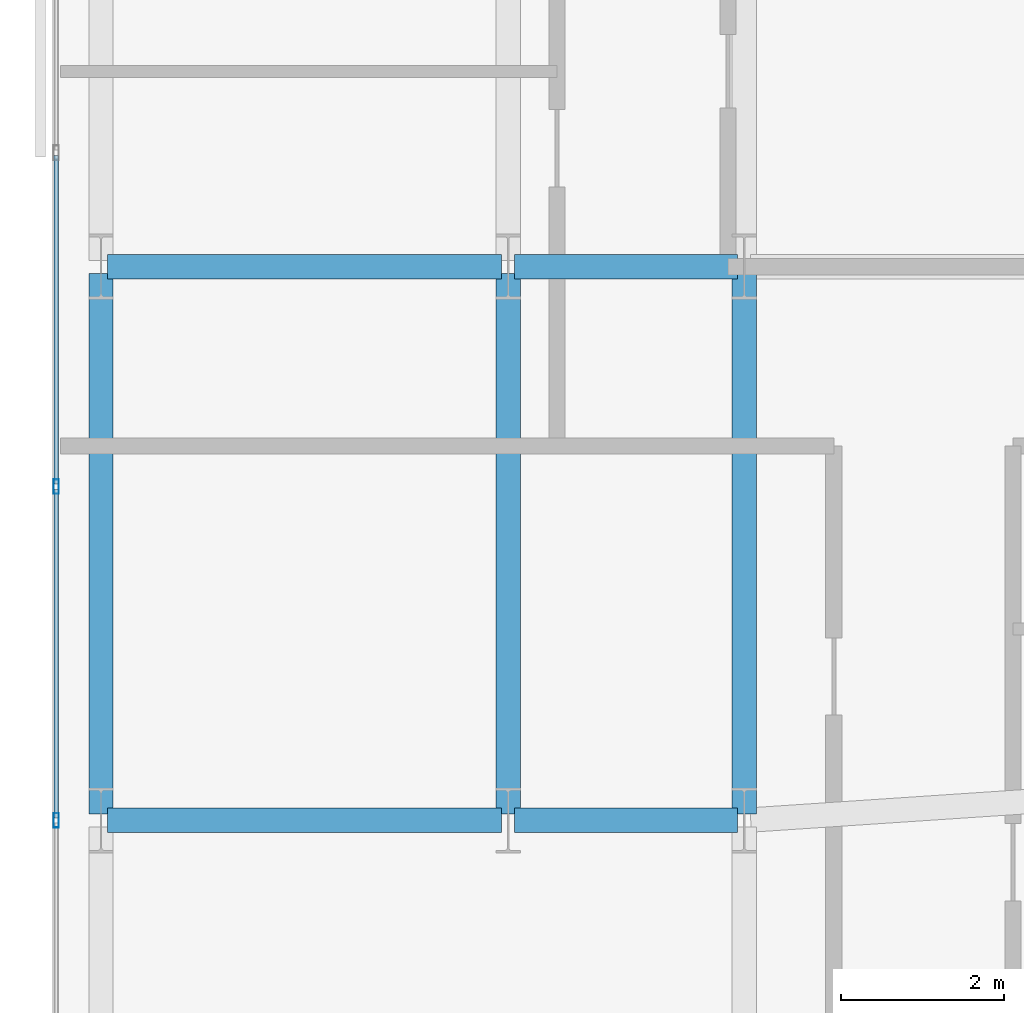
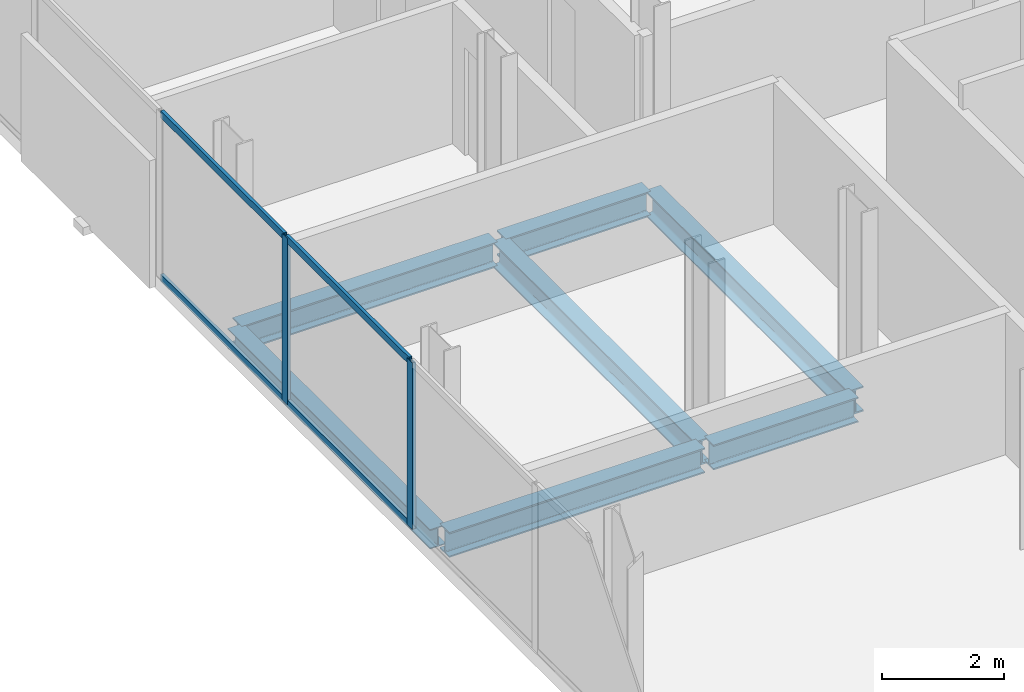
# One storey, part 11 of 32: 7 beams, 6 members, 1 element without a shape of its own.
"""IFC4 building model written with IfcOpenShell, lengths in metres."""

from ifc_helpers import new_model, si_unit, direction, frame, origin, origin_2d, place, context, subcontext, project, spatial, hollow_rectangle, i_section, extrude, material, layer, layer_set, material_profile, profile_set, type_object, element, aggregate, save


model = new_model("IFC4")

# Units and contexts
model_context = context("Model", 3, precision=1e-05, world=origin(), true_north=direction((0.0, 1.0)))
body_context = subcontext(model_context, "Body", "Model", "MODEL_VIEW")
ifc_project = project(units=[si_unit("LENGTHUNIT", "METRE"), si_unit("AREAUNIT", "SQUARE_METRE"), si_unit("VOLUMEUNIT", "CUBIC_METRE"), si_unit("PLANEANGLEUNIT", "RADIAN"), si_unit("MASSUNIT", "GRAM", prefix="KILO")], contexts=[model_context])

# Site, building, storey
site_placement = place(None, origin())
site = spatial("IfcSite", under=ifc_project, at=site_placement, CompositionType="ELEMENT")
building_placement = place(site_placement, origin())
building = spatial("IfcBuilding", under=site, at=building_placement, Name="Catumbela Crestline Tower", CompositionType="ELEMENT")
storey_placement = place(building_placement, frame((0.0, 0.0, 65.4)))
storey = spatial("IfcBuildingStorey", under=building, at=storey_placement, Name="L16", CompositionType="ELEMENT", Elevation=65.4)

# Beams
ifc_material_1 = material(Name="Structural steel S355J2", Category="steel")
ifc_material_profile_1 = material_profile(ifc_material_1, i_section(OverallWidth=0.3, OverallDepth=0.5, WebThickness=0.0145, FlangeThickness=0.028, FilletRadius=0.027, at=origin_2d()), Name="HEB 500")
ifc_profile_set_1 = profile_set([ifc_material_profile_1], Name="Structural steel S355J2")
beam_type_1 = type_object("IfcBeamType", Name="BG-HEB500", PredefinedType="BEAM", material=ifc_profile_set_1)
beam_1_placement = place(storey_placement, frame((0.68, 24.0, -0.51), z_axis=(1.0, 0.0, 0.0), x_axis=(0.0, 1.0, 0.0)))
element("IfcBeam", 1, at=beam_1_placement, inside=storey, type_object=beam_type_1, Name="L16 Beam BM-L16-S01", PredefinedType="BEAM", context=body_context, shape_type="SweptSolid", body=[
    extrude(i_section(OverallWidth=0.3, OverallDepth=0.5, WebThickness=0.0145, FlangeThickness=0.028, FilletRadius=0.027, at=origin_2d()), origin(), (0.0, 0.0, 1.0), 4.84),
])
beam_2_placement = place(storey_placement, frame((5.68, 24.0, -0.51), z_axis=(1.0, 0.0, 0.0), x_axis=(0.0, 1.0, 0.0)))
element("IfcBeam", 2, at=beam_2_placement, inside=storey, type_object=beam_type_1, Name="L16 Beam BM-L16-S02", PredefinedType="BEAM", context=body_context, shape_type="SweptSolid", body=[
    extrude(i_section(OverallWidth=0.3, OverallDepth=0.5, WebThickness=0.0145, FlangeThickness=0.028, FilletRadius=0.027, at=origin_2d()), origin(), (0.0, 0.0, 1.0), 2.74),
])
beam_3_placement = place(storey_placement, frame((0.68, 30.8, -0.51), z_axis=(1.0, 0.0, 0.0), x_axis=(0.0, 1.0, 0.0)))
element("IfcBeam", 3, at=beam_3_placement, inside=storey, type_object=beam_type_1, Name="L16 Beam BM-L16-M07", PredefinedType="BEAM", context=body_context, shape_type="SweptSolid", body=[
    extrude(i_section(OverallWidth=0.3, OverallDepth=0.5, WebThickness=0.0145, FlangeThickness=0.028, FilletRadius=0.027, at=origin_2d()), origin(), (0.0, 0.0, 1.0), 4.84),
])
beam_4_placement = place(storey_placement, frame((5.68, 30.8, -0.51), z_axis=(1.0, 0.0, 0.0), x_axis=(0.0, 1.0, 0.0)))
element("IfcBeam", 4, at=beam_4_placement, inside=storey, type_object=beam_type_1, Name="L16 Beam BM-L16-M08", PredefinedType="BEAM", context=body_context, shape_type="SweptSolid", body=[
    extrude(i_section(OverallWidth=0.3, OverallDepth=0.5, WebThickness=0.0145, FlangeThickness=0.028, FilletRadius=0.027, at=origin_2d()), origin(), (0.0, 0.0, 1.0), 2.74),
])
for number, where, z_axis, x_axis, name in (
    (5, (5.6, 24.08, -0.51), (0.0, 1.0, 0.0), (-1.0, 0.0, 0.0), "L16 Beam BM-L16-SN27"),
    (6, (8.5, 24.08, -0.51), (0.0, 1.0, 0.0), (-1.0, 0.0, 0.0), "L16 Beam BM-L16-SN29"),
):
    element("IfcBeam", number, at=place(storey_placement, frame(where, z_axis=z_axis, x_axis=x_axis)), inside=storey, type_object=beam_type_1, Name=name, PredefinedType="BEAM", context=body_context, shape_type="SweptSolid", body=[
        extrude(i_section(OverallWidth=0.3, OverallDepth=0.5, WebThickness=0.0145, FlangeThickness=0.028, FilletRadius=0.027, at=origin_2d()), origin(), (0.0, 0.0, 1.0), 6.64),
    ])

# Curtain wall, members
ifc_material_2 = material(Name="Aluminium alloy AW-6060-T66", Category="aluminium")
ifc_layer = layer(ifc_material_2, 0.18, Name="Aluminium alloy AW-6060-T66")
ifc_layer_set = layer_set([ifc_layer], Name="Aluminium alloy AW-6060-T66")
curtain_wall_type = type_object("IfcCurtainWallType", Name="CWU-Z1", PredefinedType="USERDEFINED", material=ifc_layer_set)
curtain_wall_placement = place(storey_placement, origin())
curtain_wall = element("IfcCurtainWall", 7, at=curtain_wall_placement, inside=storey, type_object=curtain_wall_type, Name="L16 Unitised Curtain Wall CW-L16-E9S1", ObjectType="UNITISED", PredefinedType="USERDEFINED")
ifc_material_profile_2 = material_profile(ifc_material_2, hollow_rectangle(XDim=0.065, YDim=0.18, WallThickness=0.004, at=origin_2d()), Name="ALU 180x65x4")
ifc_profile_set_2 = profile_set([ifc_material_profile_2], Name="Aluminium alloy AW-6060-T66")
member_type_1 = type_object("IfcMemberType", Name="MUL-180X65", PredefinedType="MULLION", material=ifc_profile_set_2)
member_1_placement = place(storey_placement, frame((0.05, 28.1, 0.0), z_axis=(0.0, 0.0, 1.0), x_axis=(1.0, 0.0, 0.0)))
member_1 = element("IfcMember", 8, at=member_1_placement, type_object=member_type_1, Name="CWU-Z1 mullion 5", PredefinedType="MULLION", context=body_context, shape_type="SweptSolid", body=[
    extrude(hollow_rectangle(XDim=0.065, YDim=0.18, WallThickness=0.004, at=origin_2d()), origin(), (0.0, 0.0, 1.0), 3.33),
])
member_2_placement = place(storey_placement, frame((0.05, 24.0, 0.0), z_axis=(0.0, 0.0, 1.0), x_axis=(1.0, 0.0, 0.0)))
member_2 = element("IfcMember", 9, at=member_2_placement, type_object=member_type_1, Name="CWU-Z1 mullion 6", PredefinedType="MULLION", context=body_context, shape_type="SweptSolid", body=[
    extrude(hollow_rectangle(XDim=0.065, YDim=0.18, WallThickness=0.004, at=origin_2d()), origin(), (0.0, 0.0, 1.0), 3.33),
])

# Beam
ifc_material_profile_3 = material_profile(ifc_material_1, i_section(OverallWidth=0.3, OverallDepth=0.39, WebThickness=0.011, FlangeThickness=0.019, FilletRadius=0.027, at=origin_2d()), Name="HEA 400")
ifc_profile_set_3 = profile_set([ifc_material_profile_3], Name="Structural steel S355J2")
beam_type_2 = type_object("IfcBeamType", Name="BS-HEA400", PredefinedType="SPANDREL", material=ifc_profile_set_3)
beam_5_placement = place(storey_placement, frame((0.6, 24.08, -0.455), z_axis=(0.0, 1.0, 0.0), x_axis=(-1.0, 0.0, 0.0)))
element("IfcBeam", 10, at=beam_5_placement, inside=storey, type_object=beam_type_2, Name="L16 Spandrel SP-L16-SN25", PredefinedType="SPANDREL", context=body_context, shape_type="SweptSolid", body=[
    extrude(i_section(OverallWidth=0.3, OverallDepth=0.39, WebThickness=0.011, FlangeThickness=0.019, FilletRadius=0.027, at=origin_2d()), origin(), (0.0, 0.0, 1.0), 6.64),
])

# Member
ifc_material_profile_4 = material_profile(ifc_material_2, hollow_rectangle(XDim=0.06, YDim=0.14, WallThickness=0.004, at=origin_2d()), Name="ALU 140x60x4")
ifc_profile_set_4 = profile_set([ifc_material_profile_4], Name="Aluminium alloy AW-6060-T66")
member_type_2 = type_object("IfcMemberType", Name="TRN-140X60", PredefinedType="USERDEFINED", material=ifc_profile_set_4)
member_3_placement = place(storey_placement, frame((0.05, 32.1675, 0.03), z_axis=(0.0, -1.0, 0.0), x_axis=(1.0, 0.0, 0.0)))
member_3 = element("IfcMember", 11, at=member_3_placement, type_object=member_type_2, Name="CWU-Z1 transom 4.1", ObjectType="TRANSOM", PredefinedType="USERDEFINED", context=body_context, shape_type="SweptSolid", body=[
    extrude(hollow_rectangle(XDim=0.06, YDim=0.14, WallThickness=0.004, at=origin_2d()), origin(), (0.0, 0.0, 1.0), 4.035),
])

member_4_placement = place(storey_placement, frame((0.05, 32.1675, 3.3), z_axis=(0.0, -1.0, 0.0), x_axis=(1.0, 0.0, 0.0)))
member_4 = element("IfcMember", 12, at=member_4_placement, type_object=member_type_2, Name="CWU-Z1 transom 4.2", ObjectType="TRANSOM", PredefinedType="USERDEFINED", context=body_context, shape_type="SweptSolid", body=[
    extrude(hollow_rectangle(XDim=0.06, YDim=0.14, WallThickness=0.004, at=origin_2d()), origin(), (0.0, 0.0, 1.0), 4.035),
])

member_5_placement = place(storey_placement, frame((0.05, 28.0675, 0.03), z_axis=(0.0, -1.0, 0.0), x_axis=(1.0, 0.0, 0.0)))
member_5 = element("IfcMember", 13, at=member_5_placement, type_object=member_type_2, Name="CWU-Z1 transom 5.1", ObjectType="TRANSOM", PredefinedType="USERDEFINED", context=body_context, shape_type="SweptSolid", body=[
    extrude(hollow_rectangle(XDim=0.06, YDim=0.14, WallThickness=0.004, at=origin_2d()), origin(), (0.0, 0.0, 1.0), 4.035),
])

member_6_placement = place(storey_placement, frame((0.05, 28.0675, 3.3), z_axis=(0.0, -1.0, 0.0), x_axis=(1.0, 0.0, 0.0)))
member_6 = element("IfcMember", 14, at=member_6_placement, type_object=member_type_2, Name="CWU-Z1 transom 5.2", ObjectType="TRANSOM", PredefinedType="USERDEFINED", context=body_context, shape_type="SweptSolid", body=[
    extrude(hollow_rectangle(XDim=0.06, YDim=0.14, WallThickness=0.004, at=origin_2d()), origin(), (0.0, 0.0, 1.0), 4.035),
])

aggregate(curtain_wall, [member_1, member_2, member_3, member_4, member_5, member_6])

save(model, "model.ifc")
